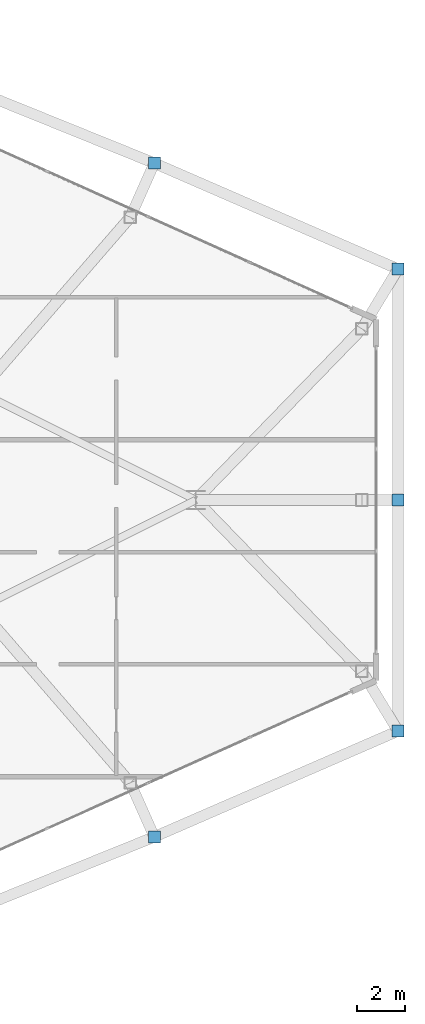
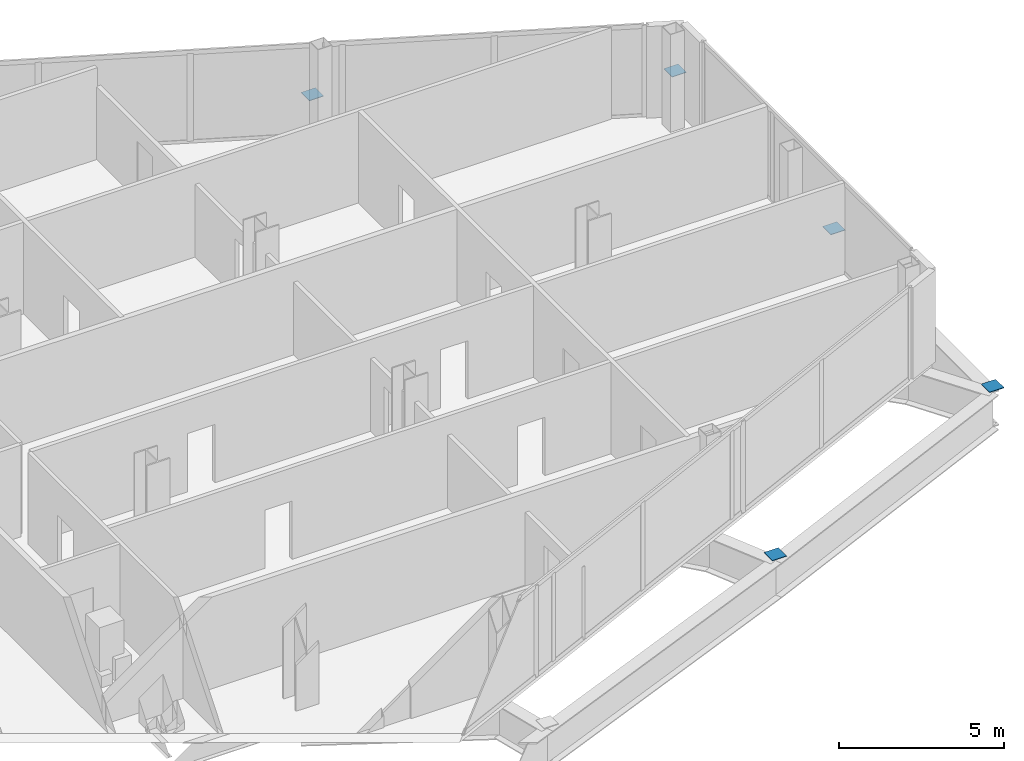
# One storey, part 27 of 29: 5 discrete accessories.
"""IFC4 building model written with IfcOpenShell, lengths in metres."""

import ifcopenshell
import ifcopenshell.guid

model = None  # the IFC model being written
_history = None  # IfcOwnerHistory: only IFC2X3 demands one
_inside = {}  # id of a spatial element -> (the spatial element, [elements in it])
_under = {}  # id of a project, library or spatial element -> (it, [spatial elements below it])
_declared = {}  # id of a project -> (the project, [libraries it declares])
_typed = {}  # id of a type object -> (the type object, [elements of that type])
_made_of = {}  # id of a material, layer set ... -> (it, [elements and type objects made of it])


def new_model(schema):
    """Start an empty IFC model of exactly this schema.

    Asked for "IFC4X3", IfcOpenShell would pick the latest addendum, in which some entities
    have other attributes; the version numbers below select the first issue.
    IFC2X3 requires an IfcOwnerHistory on every rooted entity: one is made here for all.
    """
    global model, _history
    if schema == "IFC4X3":
        model = ifcopenshell.file(schema_version=(4, 3, 0, 0))
    else:
        model = ifcopenshell.file(schema=schema)
    _inside.clear()
    _under.clear()
    _declared.clear()
    _typed.clear()
    _made_of.clear()
    _history = None
    if model.schema == "IFC2X3":
        org = make("IfcOrganization", Name="unknown")
        user = make(
            "IfcPersonAndOrganization",
            ThePerson=make("IfcPerson", FamilyName="unknown"),
            TheOrganization=org,
        )
        app = make(
            "IfcApplication",
            ApplicationDeveloper=org,
            Version="unknown",
            ApplicationFullName="unknown",
            ApplicationIdentifier="unknown",
        )
        _history = make(
            "IfcOwnerHistory",
            OwningUser=user,
            OwningApplication=app,
            ChangeAction="ADDED",
            CreationDate=0,
        )
    return model


def make(cls, **values):
    """One entity of the class cls with the attributes given. An attribute that is None is left unset."""
    return model.create_entity(
        cls, **{name: value for name, value in values.items() if value is not None}
    )


def rooted(cls, **values):
    """An entity with a GlobalId (a new one), such as an element, a storey or a relation."""
    return make(cls, GlobalId=ifcopenshell.guid.new(), OwnerHistory=_history, **values)


def si_unit(unit_type, name, prefix=None):
    """IfcSIUnit, for example si_unit("LENGTHUNIT", "METRE", prefix="MILLI")."""
    return make("IfcSIUnit", UnitType=unit_type, Prefix=prefix, Name=name)


def assignment(units):
    """IfcUnitAssignment: the units of a project."""
    return None if units is None else make("IfcUnitAssignment", Units=units)


def point(xyz):
    """IfcCartesianPoint."""
    return None if xyz is None else make("IfcCartesianPoint", Coordinates=xyz)


def direction(xyz):
    """IfcDirection."""
    return None if xyz is None else make("IfcDirection", DirectionRatios=xyz)


def frame(location, z_axis=None, x_axis=None):
    """IfcAxis2Placement3D, a coordinate frame: its origin and axes. An axis left out is left unset."""
    return make(
        "IfcAxis2Placement3D",
        Location=point(location),
        Axis=direction(z_axis),
        RefDirection=direction(x_axis),
    )


def frame_2d(location, x_axis=None):
    """IfcAxis2Placement2D, a coordinate frame in the plane: its origin and x axis."""
    return make(
        "IfcAxis2Placement2D", Location=point(location), RefDirection=direction(x_axis)
    )


def origin():
    """The frame at (0, 0, 0) with its axes left unset."""
    return frame((0.0, 0.0, 0.0))


def origin_2d():
    """The frame at (0, 0) in the plane with its x axis left unset."""
    return frame_2d((0.0, 0.0))


def place(relative_to, where):
    """IfcLocalPlacement: puts the frame where relative to a parent placement (None: the world)."""
    return make(
        "IfcLocalPlacement", PlacementRelTo=relative_to, RelativePlacement=where
    )


def context(
    kind, dimensions, precision=None, world=None, true_north=None, identifier=None
):
    """IfcGeometricRepresentationContext, for example the 3D "Model" context."""
    return make(
        "IfcGeometricRepresentationContext",
        ContextIdentifier=identifier,
        ContextType=kind,
        CoordinateSpaceDimension=dimensions,
        Precision=precision,
        WorldCoordinateSystem=world,
        TrueNorth=true_north,
    )


def subcontext(parent, identifier, kind, view, scale=None):
    """IfcGeometricRepresentationSubContext, for example "Body" below "Model"."""
    return make(
        "IfcGeometricRepresentationSubContext",
        ContextIdentifier=identifier,
        ContextType=kind,
        ParentContext=parent,
        TargetScale=scale,
        TargetView=view,
    )


def project(units=None, contexts=None):
    """IfcProject with its units and contexts."""
    return rooted(
        "IfcProject",
        Name="project",
        RepresentationContexts=contexts,
        UnitsInContext=assignment(units),
    )


def spatial(cls, under=None, at=None, **own):
    """A site, building, storey or space (cls), placed at a placement, below another one or the project."""
    s = rooted(cls, ObjectPlacement=at, **own)
    if under is not None:
        _under.setdefault(under.id(), (under, []))[1].append(s)
    return s


def profile(cls, at=None, kind="AREA", **sizes):
    """A parametric profile (cls). Its sizes go by their IFC names, for example OverallWidth=200.0."""
    return make(cls, ProfileType=kind, Position=at, **sizes)


def rectangle(**sizes):
    """IfcRectangleProfileDef."""
    return profile("IfcRectangleProfileDef", **sizes)


def extrude(swept, where, along, depth):
    """IfcExtrudedAreaSolid: the profile swept, set in the frame where, extruded along a direction by depth."""
    return make(
        "IfcExtrudedAreaSolid",
        SweptArea=swept,
        Position=where,
        ExtrudedDirection=direction(along),
        Depth=depth,
    )


def shape(context_of_items, identifier, shape_type, items):
    """IfcShapeRepresentation: the items that make up one representation, for example the "Body"."""
    return make(
        "IfcShapeRepresentation",
        ContextOfItems=context_of_items,
        RepresentationIdentifier=identifier,
        RepresentationType=shape_type,
        Items=items,
    )


def source(mapping_origin, context_of_items, identifier, shape_type, items):
    """IfcRepresentationMap: a shape defined once, which mapped items show again and again."""
    return make(
        "IfcRepresentationMap",
        MappingOrigin=mapping_origin,
        MappedRepresentation=shape(context_of_items, identifier, shape_type, items),
    )


def transform(
    local_origin,
    x_axis=None,
    y_axis=None,
    z_axis=None,
    scale=None,
    scale2=None,
    scale3=None,
    uniform=True,
):
    """IfcCartesianTransformationOperator3D, or its non-uniform kind. x_axis, y_axis, z_axis: its Axis1, 2, 3."""
    if uniform:
        return make(
            "IfcCartesianTransformationOperator3D",
            Axis1=direction(x_axis),
            Axis2=direction(y_axis),
            LocalOrigin=point(local_origin),
            Scale=scale,
            Axis3=direction(z_axis),
        )
    return make(
        "IfcCartesianTransformationOperator3DnonUniform",
        Axis1=direction(x_axis),
        Axis2=direction(y_axis),
        LocalOrigin=point(local_origin),
        Scale=scale,
        Axis3=direction(z_axis),
        Scale2=scale2,
        Scale3=scale3,
    )


def mapped(mapping_source, mapping_target):
    """IfcMappedItem: shows the shape of a source again, moved by a transform."""
    return make(
        "IfcMappedItem", MappingSource=mapping_source, MappingTarget=mapping_target
    )


def material(Name=None, Category=None):
    """IfcMaterial."""
    return make("IfcMaterial", Name=Name, Category=Category)


def made_of(thing, what):
    """Note that an element or type object is made of a material, layer set ...; save() writes the relation."""
    if what is not None:
        _made_of.setdefault(what.id(), (what, []))[1].append(thing)
    return thing


def type_object(cls, material=None, **own):
    """A type object (cls), such as IfcWallType, which elements share."""
    return made_of(rooted(cls, **own), material)


def type_shapes(of_type, sources):
    """Give a type object the sources (RepresentationMaps) that its elements show as mapped items."""
    of_type.RepresentationMaps = sources


def element(
    cls,
    number,
    at=None,
    inside=None,
    cuts=None,
    type_object=None,
    material=None,
    context=None,
    identifier="Body",
    shape_type=None,
    held_by="IfcProductDefinitionShape",
    body=None,
    shapes=None,
    **own,
):
    """One element of the class cls, such as IfcWall. Its Tag is "e" and its number.

    at: its placement. inside: the storey or other place that contains it. cuts: it is an
    opening in that element (IfcRelVoidsElement). A single representation is given by context,
    identifier, shape_type and body (its items); several are given by shapes. held_by: the class
    of the entity that holds the representations. save() writes the other relations.
    """
    e = rooted(cls, Tag="e%d" % number, ObjectPlacement=at, **own)
    if body is not None:
        shapes = [shape(context, identifier, shape_type, body)]
    if shapes is not None:
        e.Representation = make(held_by, Representations=shapes)
    if inside is not None:
        _inside.setdefault(inside.id(), (inside, []))[1].append(e)
    if cuts is not None:
        rooted(
            "IfcRelVoidsElement", RelatingBuildingElement=cuts, RelatedOpeningElement=e
        )
    if type_object is not None:
        _typed.setdefault(type_object.id(), (type_object, []))[1].append(e)
    return made_of(e, material)


def aggregate(whole, parts):
    """IfcRelAggregates: a whole, such as a stair, and the parts it consists of."""
    return rooted("IfcRelAggregates", RelatingObject=whole, RelatedObjects=parts)


def save(model, path):
    """Write the relations noted so far, then the file.

    IfcRelAggregates (storeys below a building ...), IfcRelContainedInSpatialStructure (elements
    in a storey), IfcRelDefinesByType, IfcRelAssociatesMaterial and IfcRelDeclares: one each for
    every whole, place, type object, material and project.
    """
    for whole, parts in _under.values():
        aggregate(whole, parts)
    for where, things in _inside.values():
        rooted(
            "IfcRelContainedInSpatialStructure",
            RelatedElements=things,
            RelatingStructure=where,
        )
    for kind, things in _typed.values():
        rooted("IfcRelDefinesByType", RelatedObjects=things, RelatingType=kind)
    for what, things in _made_of.values():
        rooted("IfcRelAssociatesMaterial", RelatedObjects=things, RelatingMaterial=what)
    for by, libraries in _declared.values():
        rooted("IfcRelDeclares", RelatingContext=by, RelatedDefinitions=libraries)
    model.write(path)


model = new_model("IFC4")

# Units and contexts
model_context = context("Model", 3, precision=1e-05, world=origin(), true_north=direction((0.0, 1.0)))
body_context = subcontext(model_context, "Body", "Model", "MODEL_VIEW")
ifc_project = project(units=[si_unit("LENGTHUNIT", "METRE"), si_unit("AREAUNIT", "SQUARE_METRE"), si_unit("VOLUMEUNIT", "CUBIC_METRE"), si_unit("PLANEANGLEUNIT", "RADIAN"), si_unit("MASSUNIT", "GRAM", prefix="KILO")], contexts=[model_context])

# Site, building, storey
site_placement = place(None, origin())
site = spatial("IfcSite", under=ifc_project, at=site_placement, CompositionType="ELEMENT")
building_placement = place(site_placement, origin())
building = spatial("IfcBuilding", under=site, at=building_placement, Name="Seokmaru Belvedere", CompositionType="ELEMENT")
storey_placement = place(building_placement, frame((0.0, 0.0, 62.10009765625)))
storey = spatial("IfcBuildingStorey", under=building, at=storey_placement, Name="L16", CompositionType="ELEMENT", Elevation=62.10009765625)

# Discrete accessories
ifc_material = material(Name="Steel SM355 (355 MPa)", Category="steel")
discrete_accessory_type = type_object("IfcDiscreteAccessoryType", Name="End Cap Plate HSS-500x500x20", PredefinedType="USERDEFINED", material=ifc_material)
shared_shape = source(origin(), body_context, "Body", "SweptSolid", [
    extrude(rectangle(XDim=0.5, YDim=0.5, at=origin_2d()), origin(), (0.0, 0.0, 1.0), 0.02001953125),
])
type_shapes(discrete_accessory_type, [shared_shape])
for number, where, z_axis, x_axis, name in (
    (1, (71.89990234375, -9.595703125, 0.0), (0.0, 0.0, 1.0), (1.0, 0.0, 0.0), "L15 Column EF2 End Cap Plate Top"),
    (2, (71.89990234375, 9.595703125, 0.0), (0.0, 0.0, 1.0), (1.0, 0.0, 0.0), "L15 Column EF3 End Cap Plate Top"),
    (3, (61.779052734375, -13.994140625, 0.0), (0.0, 0.0, 1.0), (1.0, 0.0, 0.0), "L15 Column EFLK_S3 End Cap Plate Top"),
    (4, (61.779052734375, 13.994140625, 0.0), (0.0, 0.0, 1.0), (1.0, 0.0, 0.0), "L15 Column EFLK_N3 End Cap Plate Top"),
    (5, (71.89990234375, 0.0, 0.0), (0.0, 0.0, 1.0), (1.0, 0.0, 0.0), "L15 Column EF_APXM End Cap Plate Top"),
):
    element("IfcDiscreteAccessory", number, at=place(storey_placement, frame(where, z_axis=z_axis, x_axis=x_axis)), inside=storey, type_object=discrete_accessory_type, Name=name, ObjectType="END_CAP_PLATE", PredefinedType="USERDEFINED", context=body_context, shape_type="MappedRepresentation", body=[
        mapped(shared_shape, transform((0.0, 0.0, 0.0), scale=1.0)),
    ])

save(model, "model.ifc")
